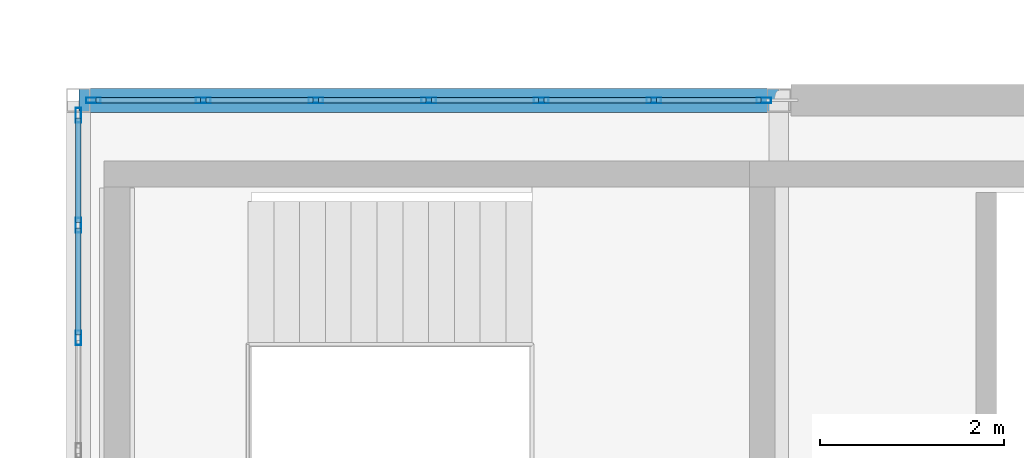
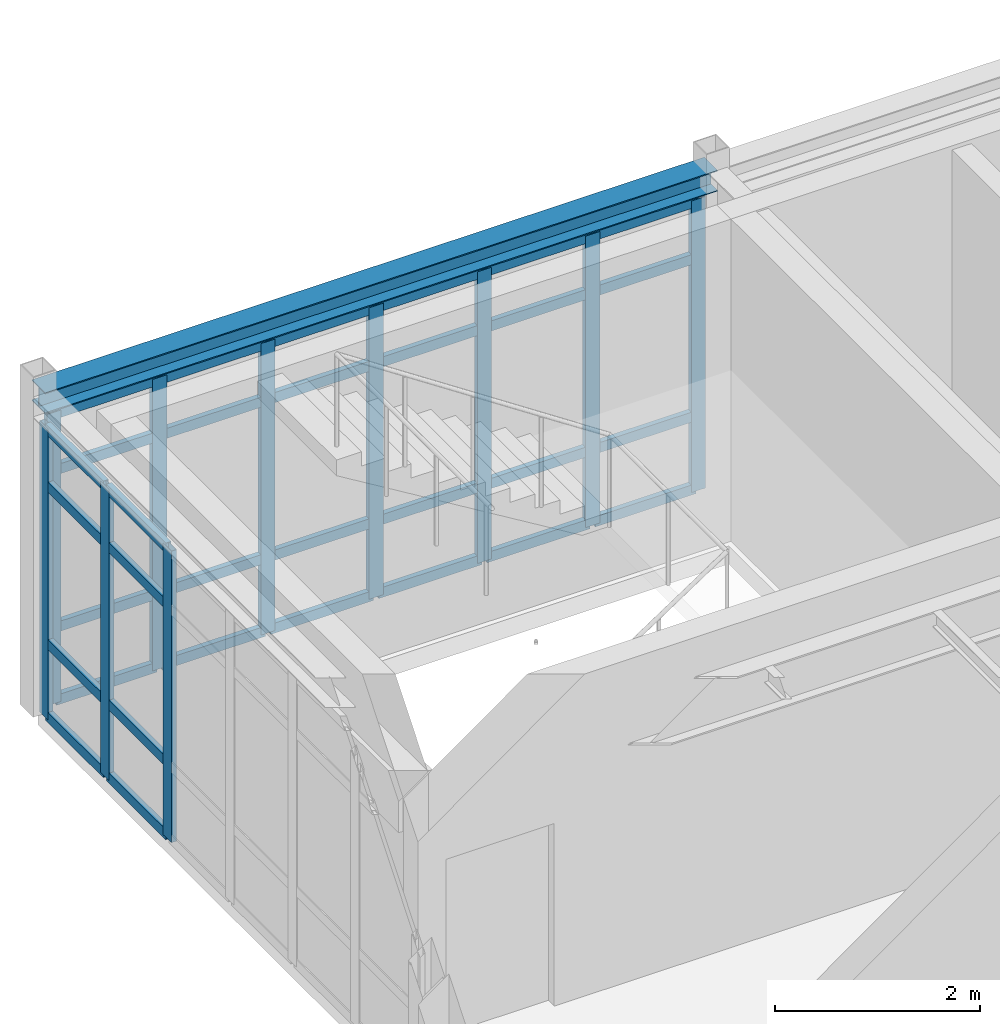
# One storey, part 76 of 189: 42 members, 1 beam, 2 elements without a shape of their own.
"""IFC4 building model written with IfcOpenShell, lengths in metres."""

from ifc_helpers import new_model, si_unit, direction, frame, origin, origin_2d, place, context, subcontext, project, spatial, hollow_rectangle, i_section, extrude, material, layer, layer_set, material_profile, profile_set, type_object, element, aggregate, save


model = new_model("IFC4")

# Units and contexts
model_context = context("Model", 3, precision=1e-05, world=origin(), true_north=direction((0.0, 1.0)))
body_context = subcontext(model_context, "Body", "Model", "MODEL_VIEW")
ifc_project = project(units=[si_unit("LENGTHUNIT", "METRE"), si_unit("AREAUNIT", "SQUARE_METRE"), si_unit("VOLUMEUNIT", "CUBIC_METRE"), si_unit("PLANEANGLEUNIT", "RADIAN"), si_unit("MASSUNIT", "GRAM", prefix="KILO")], contexts=[model_context])

# Site, building, storey
site_placement = place(None, origin())
site = spatial("IfcSite", under=ifc_project, at=site_placement, CompositionType="ELEMENT")
building_placement = place(site_placement, origin())
building = spatial("IfcBuilding", under=site, at=building_placement, Name="Montecoro Central Library", CompositionType="ELEMENT")
storey_placement = place(building_placement, frame((0.0, 0.0, 9.179931640625)))
storey = spatial("IfcBuildingStorey", under=building, at=storey_placement, Name="L02", CompositionType="ELEMENT", Elevation=9.179931640625)

# Beam
ifc_material_1 = material(Name="Steel S355", Category="steel")
ifc_material_profile_1 = material_profile(ifc_material_1, i_section(OverallWidth=0.260009765625, OverallDepth=0.25, WebThickness=0.007568359375, FlangeThickness=0.012451171875, at=origin_2d()), Name="HEA 260")
ifc_profile_set_1 = profile_set([ifc_material_profile_1], Name="Steel S355")
beam_type = type_object("IfcBeamType", Name="BM-SP-HEA260", PredefinedType="SPANDREL", material=ifc_profile_set_1)
beam_placement = place(storey_placement, frame((5.0048828125, 111.39990234375, 3.699951171875), z_axis=(1.0, 0.0, 0.0), x_axis=(0.0, 1.0, 0.0)))
element("IfcBeam", 1, at=beam_placement, inside=storey, type_object=beam_type, Name="V4-L02-BX-12-Q", PredefinedType="SPANDREL", context=body_context, shape_type="SweptSolid", body=[
    extrude(i_section(OverallWidth=0.260009765625, OverallDepth=0.25, WebThickness=0.007568359375, FlangeThickness=0.012451171875, at=origin_2d()), origin(), (0.0, 0.0, 1.0), 7.590087890625),
])

# Curtain wall, members
ifc_material_2 = material(Name="Bronze-anodised aluminium and low-E glazing", Category="aluminium")
ifc_layer_1 = layer(ifc_material_2, 0.159912109375)
ifc_layer_set_1 = layer_set([ifc_layer_1], Name="Bronze-anodised aluminium and low-E glazing")
curtain_wall_type_1 = type_object("IfcCurtainWallType", Name="CWT-048", PredefinedType="NOTDEFINED", material=ifc_layer_set_1)
curtain_wall_1_placement = place(storey_placement, origin())
curtain_wall_1 = element("IfcCurtainWall", 2, at=curtain_wall_1_placement, inside=storey, type_object=curtain_wall_type_1, Name="V4-L02-CW-N0", PredefinedType="NOTDEFINED")
ifc_material_3 = material(Name="Bronze-anodised aluminium", Category="aluminium")
ifc_material_profile_2 = material_profile(ifc_material_3, hollow_rectangle(XDim=0.06005859375, YDim=0.159912109375, WallThickness=0.00390625, at=origin_2d()), Name="CWM 160x60x4.0")
ifc_profile_set_2 = profile_set([ifc_material_profile_2], Name="Bronze-anodised aluminium")
member_type_1 = type_object("IfcMemberType", Name="CWM-BRZ-60", PredefinedType="MULLION", material=ifc_profile_set_2)
member_1_placement = place(storey_placement, frame((12.43701171875, 111.39990234375, 0.0), z_axis=(0.0, 0.0, 1.0), x_axis=(0.0, -1.0, 0.0)))
member_1 = element("IfcMember", 3, at=member_1_placement, type_object=member_type_1, Name="CW-048 mullion 1", PredefinedType="MULLION", context=body_context, shape_type="SweptSolid", body=[
    extrude(hollow_rectangle(XDim=0.06005859375, YDim=0.159912109375, WallThickness=0.00390625, at=origin_2d()), origin(), (0.0, 0.0, 1.0), 3.47998046875),
])
member_2_placement = place(storey_placement, frame((11.24462890625, 111.39990234375, 0.0), z_axis=(0.0, 0.0, 1.0), x_axis=(0.0, -1.0, 0.0)))
member_2 = element("IfcMember", 4, at=member_2_placement, type_object=member_type_1, Name="CW-048 mullion 2", PredefinedType="MULLION", context=body_context, shape_type="SweptSolid", body=[
    extrude(hollow_rectangle(XDim=0.06005859375, YDim=0.159912109375, WallThickness=0.00390625, at=origin_2d()), origin(), (0.0, 0.0, 1.0), 3.47998046875),
])
member_3_placement = place(storey_placement, frame((10.022216796875, 111.39990234375, 0.0), z_axis=(0.0, 0.0, 1.0), x_axis=(0.0, -1.0, 0.0)))
member_3 = element("IfcMember", 5, at=member_3_placement, type_object=member_type_1, Name="CW-048 mullion 3", PredefinedType="MULLION", context=body_context, shape_type="SweptSolid", body=[
    extrude(hollow_rectangle(XDim=0.06005859375, YDim=0.159912109375, WallThickness=0.00390625, at=origin_2d()), origin(), (0.0, 0.0, 1.0), 3.47998046875),
])
member_4_placement = place(storey_placement, frame((8.800048828125, 111.39990234375, 0.0), z_axis=(0.0, 0.0, 1.0), x_axis=(0.0, -1.0, 0.0)))
member_4 = element("IfcMember", 6, at=member_4_placement, type_object=member_type_1, Name="CW-048 mullion 4", PredefinedType="MULLION", context=body_context, shape_type="SweptSolid", body=[
    extrude(hollow_rectangle(XDim=0.06005859375, YDim=0.159912109375, WallThickness=0.00390625, at=origin_2d()), origin(), (0.0, 0.0, 1.0), 3.47998046875),
])
member_5_placement = place(storey_placement, frame((7.57763671875, 111.39990234375, 0.0), z_axis=(0.0, 0.0, 1.0), x_axis=(0.0, -1.0, 0.0)))
member_5 = element("IfcMember", 7, at=member_5_placement, type_object=member_type_1, Name="CW-048 mullion 5", PredefinedType="MULLION", context=body_context, shape_type="SweptSolid", body=[
    extrude(hollow_rectangle(XDim=0.06005859375, YDim=0.159912109375, WallThickness=0.00390625, at=origin_2d()), origin(), (0.0, 0.0, 1.0), 3.47998046875),
])
member_6_placement = place(storey_placement, frame((6.355224609375, 111.39990234375, 0.0), z_axis=(0.0, 0.0, 1.0), x_axis=(0.0, -1.0, 0.0)))
member_6 = element("IfcMember", 8, at=member_6_placement, type_object=member_type_1, Name="CW-048 mullion 6", PredefinedType="MULLION", context=body_context, shape_type="SweptSolid", body=[
    extrude(hollow_rectangle(XDim=0.06005859375, YDim=0.159912109375, WallThickness=0.00390625, at=origin_2d()), origin(), (0.0, 0.0, 1.0), 3.47998046875),
])
member_7_placement = place(storey_placement, frame((5.1630859375, 111.39990234375, 0.0), z_axis=(0.0, 0.0, 1.0), x_axis=(0.0, -1.0, 0.0)))
member_7 = element("IfcMember", 9, at=member_7_placement, type_object=member_type_1, Name="CW-048 mullion 7", PredefinedType="MULLION", context=body_context, shape_type="SweptSolid", body=[
    extrude(hollow_rectangle(XDim=0.06005859375, YDim=0.159912109375, WallThickness=0.00390625, at=origin_2d()), origin(), (0.0, 0.0, 1.0), 3.47998046875),
])

ifc_layer_2 = layer(ifc_material_2, 0.159912109375)
ifc_layer_set_2 = layer_set([ifc_layer_2], Name="Bronze-anodised aluminium and low-E glazing")
curtain_wall_type_2 = type_object("IfcCurtainWallType", Name="CWT-049", PredefinedType="NOTDEFINED", material=ifc_layer_set_2)
curtain_wall_2_placement = place(storey_placement, origin())
curtain_wall_2 = element("IfcCurtainWall", 10, at=curtain_wall_2_placement, inside=storey, type_object=curtain_wall_type_2, Name="V4-L02-CW-W4", PredefinedType="NOTDEFINED")
member_8_placement = place(storey_placement, frame((5.0, 111.237060546875, 0.0), z_axis=(0.0, 0.0, 1.0), x_axis=(1.0, 0.0, 0.0)))
member_8 = element("IfcMember", 11, at=member_8_placement, type_object=member_type_1, Name="CW-049 mullion 1", PredefinedType="MULLION", context=body_context, shape_type="SweptSolid", body=[
    extrude(hollow_rectangle(XDim=0.06005859375, YDim=0.159912109375, WallThickness=0.00390625, at=origin_2d()), origin(), (0.0, 0.0, 1.0), 3.47998046875),
])
member_9_placement = place(storey_placement, frame((5.0, 110.044677734375, 0.0), z_axis=(0.0, 0.0, 1.0), x_axis=(1.0, 0.0, 0.0)))
member_9 = element("IfcMember", 12, at=member_9_placement, type_object=member_type_1, Name="CW-049 mullion 2", PredefinedType="MULLION", context=body_context, shape_type="SweptSolid", body=[
    extrude(hollow_rectangle(XDim=0.06005859375, YDim=0.159912109375, WallThickness=0.00390625, at=origin_2d()), origin(), (0.0, 0.0, 1.0), 3.47998046875),
])
member_10_placement = place(storey_placement, frame((5.0, 108.822265625, 0.0), z_axis=(0.0, 0.0, 1.0), x_axis=(1.0, 0.0, 0.0)))
member_10 = element("IfcMember", 13, at=member_10_placement, type_object=member_type_1, Name="CW-049 mullion 3", PredefinedType="MULLION", context=body_context, shape_type="SweptSolid", body=[
    extrude(hollow_rectangle(XDim=0.06005859375, YDim=0.159912109375, WallThickness=0.00390625, at=origin_2d()), origin(), (0.0, 0.0, 1.0), 3.47998046875),
])

# Member
ifc_material_profile_3 = material_profile(ifc_material_3, hollow_rectangle(XDim=0.06005859375, YDim=0.1201171875, WallThickness=0.00390625, at=origin_2d()), Name="CWT 120x60x4.0")
ifc_profile_set_3 = profile_set([ifc_material_profile_3], Name="Bronze-anodised aluminium")
member_type_2 = type_object("IfcMemberType", Name="CWT-BRZ-60", PredefinedType="USERDEFINED", material=ifc_profile_set_3)
member_11_placement = place(storey_placement, frame((12.406982421875, 111.39990234375, 0.030029296875), z_axis=(-1.0, 0.0, 0.0), x_axis=(0.0, -1.0, 0.0)))
member_11 = element("IfcMember", 14, at=member_11_placement, type_object=member_type_2, Name="CW-048 transom 1.1", ObjectType="TRANSOM", PredefinedType="USERDEFINED", context=body_context, shape_type="SweptSolid", body=[
    extrude(hollow_rectangle(XDim=0.06005859375, YDim=0.1201171875, WallThickness=0.00390625, at=origin_2d()), origin(), (0.0, 0.0, 1.0), 1.13232421875),
])

member_12_placement = place(storey_placement, frame((12.406982421875, 111.39990234375, 0.900146484375), z_axis=(-1.0, 0.0, 0.0), x_axis=(0.0, -1.0, 0.0)))
member_12 = element("IfcMember", 15, at=member_12_placement, type_object=member_type_2, Name="CW-048 transom 1.2", ObjectType="TRANSOM", PredefinedType="USERDEFINED", context=body_context, shape_type="SweptSolid", body=[
    extrude(hollow_rectangle(XDim=0.06005859375, YDim=0.1201171875, WallThickness=0.00390625, at=origin_2d()), origin(), (0.0, 0.0, 1.0), 1.13232421875),
])

member_13_placement = place(storey_placement, frame((12.406982421875, 111.39990234375, 2.780029296875), z_axis=(-1.0, 0.0, 0.0), x_axis=(0.0, -1.0, 0.0)))
member_13 = element("IfcMember", 16, at=member_13_placement, type_object=member_type_2, Name="CW-048 transom 1.3", ObjectType="TRANSOM", PredefinedType="USERDEFINED", context=body_context, shape_type="SweptSolid", body=[
    extrude(hollow_rectangle(XDim=0.06005859375, YDim=0.1201171875, WallThickness=0.00390625, at=origin_2d()), origin(), (0.0, 0.0, 1.0), 1.13232421875),
])

member_14_placement = place(storey_placement, frame((12.406982421875, 111.39990234375, 3.449951171875), z_axis=(-1.0, 0.0, 0.0), x_axis=(0.0, -1.0, 0.0)))
member_14 = element("IfcMember", 17, at=member_14_placement, type_object=member_type_2, Name="CW-048 transom 1.4", ObjectType="TRANSOM", PredefinedType="USERDEFINED", context=body_context, shape_type="SweptSolid", body=[
    extrude(hollow_rectangle(XDim=0.06005859375, YDim=0.1201171875, WallThickness=0.00390625, at=origin_2d()), origin(), (0.0, 0.0, 1.0), 1.13232421875),
])

member_15_placement = place(storey_placement, frame((11.214599609375, 111.39990234375, 0.030029296875), z_axis=(-1.0, 0.0, 0.0), x_axis=(0.0, -1.0, 0.0)))
member_15 = element("IfcMember", 18, at=member_15_placement, type_object=member_type_2, Name="CW-048 transom 2.1", ObjectType="TRANSOM", PredefinedType="USERDEFINED", context=body_context, shape_type="SweptSolid", body=[
    extrude(hollow_rectangle(XDim=0.06005859375, YDim=0.1201171875, WallThickness=0.00390625, at=origin_2d()), origin(), (0.0, 0.0, 1.0), 1.162353515625),
])

member_16_placement = place(storey_placement, frame((11.214599609375, 111.39990234375, 0.900146484375), z_axis=(-1.0, 0.0, 0.0), x_axis=(0.0, -1.0, 0.0)))
member_16 = element("IfcMember", 19, at=member_16_placement, type_object=member_type_2, Name="CW-048 transom 2.2", ObjectType="TRANSOM", PredefinedType="USERDEFINED", context=body_context, shape_type="SweptSolid", body=[
    extrude(hollow_rectangle(XDim=0.06005859375, YDim=0.1201171875, WallThickness=0.00390625, at=origin_2d()), origin(), (0.0, 0.0, 1.0), 1.162353515625),
])

member_17_placement = place(storey_placement, frame((11.214599609375, 111.39990234375, 2.780029296875), z_axis=(-1.0, 0.0, 0.0), x_axis=(0.0, -1.0, 0.0)))
member_17 = element("IfcMember", 20, at=member_17_placement, type_object=member_type_2, Name="CW-048 transom 2.3", ObjectType="TRANSOM", PredefinedType="USERDEFINED", context=body_context, shape_type="SweptSolid", body=[
    extrude(hollow_rectangle(XDim=0.06005859375, YDim=0.1201171875, WallThickness=0.00390625, at=origin_2d()), origin(), (0.0, 0.0, 1.0), 1.162353515625),
])

member_18_placement = place(storey_placement, frame((11.214599609375, 111.39990234375, 3.449951171875), z_axis=(-1.0, 0.0, 0.0), x_axis=(0.0, -1.0, 0.0)))
member_18 = element("IfcMember", 21, at=member_18_placement, type_object=member_type_2, Name="CW-048 transom 2.4", ObjectType="TRANSOM", PredefinedType="USERDEFINED", context=body_context, shape_type="SweptSolid", body=[
    extrude(hollow_rectangle(XDim=0.06005859375, YDim=0.1201171875, WallThickness=0.00390625, at=origin_2d()), origin(), (0.0, 0.0, 1.0), 1.162353515625),
])

member_19_placement = place(storey_placement, frame((9.992431640625, 111.39990234375, 0.030029296875), z_axis=(-1.0, 0.0, 0.0), x_axis=(0.0, -1.0, 0.0)))
member_19 = element("IfcMember", 22, at=member_19_placement, type_object=member_type_2, Name="CW-048 transom 3.1", ObjectType="TRANSOM", PredefinedType="USERDEFINED", context=body_context, shape_type="SweptSolid", body=[
    extrude(hollow_rectangle(XDim=0.06005859375, YDim=0.1201171875, WallThickness=0.00390625, at=origin_2d()), origin(), (0.0, 0.0, 1.0), 1.162353515625),
])

member_20_placement = place(storey_placement, frame((9.992431640625, 111.39990234375, 0.900146484375), z_axis=(-1.0, 0.0, 0.0), x_axis=(0.0, -1.0, 0.0)))
member_20 = element("IfcMember", 23, at=member_20_placement, type_object=member_type_2, Name="CW-048 transom 3.2", ObjectType="TRANSOM", PredefinedType="USERDEFINED", context=body_context, shape_type="SweptSolid", body=[
    extrude(hollow_rectangle(XDim=0.06005859375, YDim=0.1201171875, WallThickness=0.00390625, at=origin_2d()), origin(), (0.0, 0.0, 1.0), 1.162353515625),
])

member_21_placement = place(storey_placement, frame((9.992431640625, 111.39990234375, 2.780029296875), z_axis=(-1.0, 0.0, 0.0), x_axis=(0.0, -1.0, 0.0)))
member_21 = element("IfcMember", 24, at=member_21_placement, type_object=member_type_2, Name="CW-048 transom 3.3", ObjectType="TRANSOM", PredefinedType="USERDEFINED", context=body_context, shape_type="SweptSolid", body=[
    extrude(hollow_rectangle(XDim=0.06005859375, YDim=0.1201171875, WallThickness=0.00390625, at=origin_2d()), origin(), (0.0, 0.0, 1.0), 1.162353515625),
])

member_22_placement = place(storey_placement, frame((9.992431640625, 111.39990234375, 3.449951171875), z_axis=(-1.0, 0.0, 0.0), x_axis=(0.0, -1.0, 0.0)))
member_22 = element("IfcMember", 25, at=member_22_placement, type_object=member_type_2, Name="CW-048 transom 3.4", ObjectType="TRANSOM", PredefinedType="USERDEFINED", context=body_context, shape_type="SweptSolid", body=[
    extrude(hollow_rectangle(XDim=0.06005859375, YDim=0.1201171875, WallThickness=0.00390625, at=origin_2d()), origin(), (0.0, 0.0, 1.0), 1.162353515625),
])

member_23_placement = place(storey_placement, frame((8.77001953125, 111.39990234375, 0.030029296875), z_axis=(-1.0, 0.0, 0.0), x_axis=(0.0, -1.0, 0.0)))
member_23 = element("IfcMember", 26, at=member_23_placement, type_object=member_type_2, Name="CW-048 transom 4.1", ObjectType="TRANSOM", PredefinedType="USERDEFINED", context=body_context, shape_type="SweptSolid", body=[
    extrude(hollow_rectangle(XDim=0.06005859375, YDim=0.1201171875, WallThickness=0.00390625, at=origin_2d()), origin(), (0.0, 0.0, 1.0), 1.162353515625),
])

member_24_placement = place(storey_placement, frame((8.77001953125, 111.39990234375, 0.900146484375), z_axis=(-1.0, 0.0, 0.0), x_axis=(0.0, -1.0, 0.0)))
member_24 = element("IfcMember", 27, at=member_24_placement, type_object=member_type_2, Name="CW-048 transom 4.2", ObjectType="TRANSOM", PredefinedType="USERDEFINED", context=body_context, shape_type="SweptSolid", body=[
    extrude(hollow_rectangle(XDim=0.06005859375, YDim=0.1201171875, WallThickness=0.00390625, at=origin_2d()), origin(), (0.0, 0.0, 1.0), 1.162353515625),
])

member_25_placement = place(storey_placement, frame((8.77001953125, 111.39990234375, 2.780029296875), z_axis=(-1.0, 0.0, 0.0), x_axis=(0.0, -1.0, 0.0)))
member_25 = element("IfcMember", 28, at=member_25_placement, type_object=member_type_2, Name="CW-048 transom 4.3", ObjectType="TRANSOM", PredefinedType="USERDEFINED", context=body_context, shape_type="SweptSolid", body=[
    extrude(hollow_rectangle(XDim=0.06005859375, YDim=0.1201171875, WallThickness=0.00390625, at=origin_2d()), origin(), (0.0, 0.0, 1.0), 1.162353515625),
])

member_26_placement = place(storey_placement, frame((8.77001953125, 111.39990234375, 3.449951171875), z_axis=(-1.0, 0.0, 0.0), x_axis=(0.0, -1.0, 0.0)))
member_26 = element("IfcMember", 29, at=member_26_placement, type_object=member_type_2, Name="CW-048 transom 4.4", ObjectType="TRANSOM", PredefinedType="USERDEFINED", context=body_context, shape_type="SweptSolid", body=[
    extrude(hollow_rectangle(XDim=0.06005859375, YDim=0.1201171875, WallThickness=0.00390625, at=origin_2d()), origin(), (0.0, 0.0, 1.0), 1.162353515625),
])

member_27_placement = place(storey_placement, frame((7.547607421875, 111.39990234375, 0.030029296875), z_axis=(-1.0, 0.0, 0.0), x_axis=(0.0, -1.0, 0.0)))
member_27 = element("IfcMember", 30, at=member_27_placement, type_object=member_type_2, Name="CW-048 transom 5.1", ObjectType="TRANSOM", PredefinedType="USERDEFINED", context=body_context, shape_type="SweptSolid", body=[
    extrude(hollow_rectangle(XDim=0.06005859375, YDim=0.1201171875, WallThickness=0.00390625, at=origin_2d()), origin(), (0.0, 0.0, 1.0), 1.162353515625),
])

member_28_placement = place(storey_placement, frame((7.547607421875, 111.39990234375, 0.900146484375), z_axis=(-1.0, 0.0, 0.0), x_axis=(0.0, -1.0, 0.0)))
member_28 = element("IfcMember", 31, at=member_28_placement, type_object=member_type_2, Name="CW-048 transom 5.2", ObjectType="TRANSOM", PredefinedType="USERDEFINED", context=body_context, shape_type="SweptSolid", body=[
    extrude(hollow_rectangle(XDim=0.06005859375, YDim=0.1201171875, WallThickness=0.00390625, at=origin_2d()), origin(), (0.0, 0.0, 1.0), 1.162353515625),
])

member_29_placement = place(storey_placement, frame((7.547607421875, 111.39990234375, 2.780029296875), z_axis=(-1.0, 0.0, 0.0), x_axis=(0.0, -1.0, 0.0)))
member_29 = element("IfcMember", 32, at=member_29_placement, type_object=member_type_2, Name="CW-048 transom 5.3", ObjectType="TRANSOM", PredefinedType="USERDEFINED", context=body_context, shape_type="SweptSolid", body=[
    extrude(hollow_rectangle(XDim=0.06005859375, YDim=0.1201171875, WallThickness=0.00390625, at=origin_2d()), origin(), (0.0, 0.0, 1.0), 1.162353515625),
])

member_30_placement = place(storey_placement, frame((7.547607421875, 111.39990234375, 3.449951171875), z_axis=(-1.0, 0.0, 0.0), x_axis=(0.0, -1.0, 0.0)))
member_30 = element("IfcMember", 33, at=member_30_placement, type_object=member_type_2, Name="CW-048 transom 5.4", ObjectType="TRANSOM", PredefinedType="USERDEFINED", context=body_context, shape_type="SweptSolid", body=[
    extrude(hollow_rectangle(XDim=0.06005859375, YDim=0.1201171875, WallThickness=0.00390625, at=origin_2d()), origin(), (0.0, 0.0, 1.0), 1.162353515625),
])

member_31_placement = place(storey_placement, frame((6.325439453125, 111.39990234375, 0.030029296875), z_axis=(-1.0, 0.0, 0.0), x_axis=(0.0, -1.0, 0.0)))
member_31 = element("IfcMember", 34, at=member_31_placement, type_object=member_type_2, Name="CW-048 transom 6.1", ObjectType="TRANSOM", PredefinedType="USERDEFINED", context=body_context, shape_type="SweptSolid", body=[
    extrude(hollow_rectangle(XDim=0.06005859375, YDim=0.1201171875, WallThickness=0.00390625, at=origin_2d()), origin(), (0.0, 0.0, 1.0), 1.13232421875),
])

member_32_placement = place(storey_placement, frame((6.325439453125, 111.39990234375, 0.900146484375), z_axis=(-1.0, 0.0, 0.0), x_axis=(0.0, -1.0, 0.0)))
member_32 = element("IfcMember", 35, at=member_32_placement, type_object=member_type_2, Name="CW-048 transom 6.2", ObjectType="TRANSOM", PredefinedType="USERDEFINED", context=body_context, shape_type="SweptSolid", body=[
    extrude(hollow_rectangle(XDim=0.06005859375, YDim=0.1201171875, WallThickness=0.00390625, at=origin_2d()), origin(), (0.0, 0.0, 1.0), 1.13232421875),
])

member_33_placement = place(storey_placement, frame((6.325439453125, 111.39990234375, 2.780029296875), z_axis=(-1.0, 0.0, 0.0), x_axis=(0.0, -1.0, 0.0)))
member_33 = element("IfcMember", 36, at=member_33_placement, type_object=member_type_2, Name="CW-048 transom 6.3", ObjectType="TRANSOM", PredefinedType="USERDEFINED", context=body_context, shape_type="SweptSolid", body=[
    extrude(hollow_rectangle(XDim=0.06005859375, YDim=0.1201171875, WallThickness=0.00390625, at=origin_2d()), origin(), (0.0, 0.0, 1.0), 1.13232421875),
])

member_34_placement = place(storey_placement, frame((6.325439453125, 111.39990234375, 3.449951171875), z_axis=(-1.0, 0.0, 0.0), x_axis=(0.0, -1.0, 0.0)))
member_34 = element("IfcMember", 37, at=member_34_placement, type_object=member_type_2, Name="CW-048 transom 6.4", ObjectType="TRANSOM", PredefinedType="USERDEFINED", context=body_context, shape_type="SweptSolid", body=[
    extrude(hollow_rectangle(XDim=0.06005859375, YDim=0.1201171875, WallThickness=0.00390625, at=origin_2d()), origin(), (0.0, 0.0, 1.0), 1.13232421875),
])

aggregate(curtain_wall_1, [member_1, member_2, member_3, member_4, member_5, member_6, member_7, member_11, member_12, member_13, member_14, member_15, member_16, member_17, member_18, member_19, member_20, member_21, member_22, member_23, member_24, member_25, member_26, member_27, member_28, member_29, member_30, member_31, member_32, member_33, member_34])

member_35_placement = place(storey_placement, frame((5.0, 111.20703125, 0.030029296875), z_axis=(0.0, -1.0, 0.0), x_axis=(1.0, 0.0, 0.0)))
member_35 = element("IfcMember", 38, at=member_35_placement, type_object=member_type_2, Name="CW-049 transom 1.1", ObjectType="TRANSOM", PredefinedType="USERDEFINED", context=body_context, shape_type="SweptSolid", body=[
    extrude(hollow_rectangle(XDim=0.06005859375, YDim=0.1201171875, WallThickness=0.00390625, at=origin_2d()), origin(), (0.0, 0.0, 1.0), 1.13232421875),
])

member_36_placement = place(storey_placement, frame((5.0, 111.20703125, 0.900146484375), z_axis=(0.0, -1.0, 0.0), x_axis=(1.0, 0.0, 0.0)))
member_36 = element("IfcMember", 39, at=member_36_placement, type_object=member_type_2, Name="CW-049 transom 1.2", ObjectType="TRANSOM", PredefinedType="USERDEFINED", context=body_context, shape_type="SweptSolid", body=[
    extrude(hollow_rectangle(XDim=0.06005859375, YDim=0.1201171875, WallThickness=0.00390625, at=origin_2d()), origin(), (0.0, 0.0, 1.0), 1.13232421875),
])

member_37_placement = place(storey_placement, frame((5.0, 111.20703125, 2.780029296875), z_axis=(0.0, -1.0, 0.0), x_axis=(1.0, 0.0, 0.0)))
member_37 = element("IfcMember", 40, at=member_37_placement, type_object=member_type_2, Name="CW-049 transom 1.3", ObjectType="TRANSOM", PredefinedType="USERDEFINED", context=body_context, shape_type="SweptSolid", body=[
    extrude(hollow_rectangle(XDim=0.06005859375, YDim=0.1201171875, WallThickness=0.00390625, at=origin_2d()), origin(), (0.0, 0.0, 1.0), 1.13232421875),
])

member_38_placement = place(storey_placement, frame((5.0, 111.20703125, 3.449951171875), z_axis=(0.0, -1.0, 0.0), x_axis=(1.0, 0.0, 0.0)))
member_38 = element("IfcMember", 41, at=member_38_placement, type_object=member_type_2, Name="CW-049 transom 1.4", ObjectType="TRANSOM", PredefinedType="USERDEFINED", context=body_context, shape_type="SweptSolid", body=[
    extrude(hollow_rectangle(XDim=0.06005859375, YDim=0.1201171875, WallThickness=0.00390625, at=origin_2d()), origin(), (0.0, 0.0, 1.0), 1.13232421875),
])

member_39_placement = place(storey_placement, frame((5.0, 110.0146484375, 0.030029296875), z_axis=(0.0, -1.0, 0.0), x_axis=(1.0, 0.0, 0.0)))
member_39 = element("IfcMember", 42, at=member_39_placement, type_object=member_type_2, Name="CW-049 transom 2.1", ObjectType="TRANSOM", PredefinedType="USERDEFINED", context=body_context, shape_type="SweptSolid", body=[
    extrude(hollow_rectangle(XDim=0.06005859375, YDim=0.1201171875, WallThickness=0.00390625, at=origin_2d()), origin(), (0.0, 0.0, 1.0), 1.162353515625),
])

member_40_placement = place(storey_placement, frame((5.0, 110.0146484375, 0.900146484375), z_axis=(0.0, -1.0, 0.0), x_axis=(1.0, 0.0, 0.0)))
member_40 = element("IfcMember", 43, at=member_40_placement, type_object=member_type_2, Name="CW-049 transom 2.2", ObjectType="TRANSOM", PredefinedType="USERDEFINED", context=body_context, shape_type="SweptSolid", body=[
    extrude(hollow_rectangle(XDim=0.06005859375, YDim=0.1201171875, WallThickness=0.00390625, at=origin_2d()), origin(), (0.0, 0.0, 1.0), 1.162353515625),
])

member_41_placement = place(storey_placement, frame((5.0, 110.0146484375, 2.780029296875), z_axis=(0.0, -1.0, 0.0), x_axis=(1.0, 0.0, 0.0)))
member_41 = element("IfcMember", 44, at=member_41_placement, type_object=member_type_2, Name="CW-049 transom 2.3", ObjectType="TRANSOM", PredefinedType="USERDEFINED", context=body_context, shape_type="SweptSolid", body=[
    extrude(hollow_rectangle(XDim=0.06005859375, YDim=0.1201171875, WallThickness=0.00390625, at=origin_2d()), origin(), (0.0, 0.0, 1.0), 1.162353515625),
])

member_42_placement = place(storey_placement, frame((5.0, 110.0146484375, 3.449951171875), z_axis=(0.0, -1.0, 0.0), x_axis=(1.0, 0.0, 0.0)))
member_42 = element("IfcMember", 45, at=member_42_placement, type_object=member_type_2, Name="CW-049 transom 2.4", ObjectType="TRANSOM", PredefinedType="USERDEFINED", context=body_context, shape_type="SweptSolid", body=[
    extrude(hollow_rectangle(XDim=0.06005859375, YDim=0.1201171875, WallThickness=0.00390625, at=origin_2d()), origin(), (0.0, 0.0, 1.0), 1.162353515625),
])

aggregate(curtain_wall_2, [member_8, member_9, member_10, member_35, member_36, member_37, member_38, member_39, member_40, member_41, member_42])

save(model, "model.ifc")
